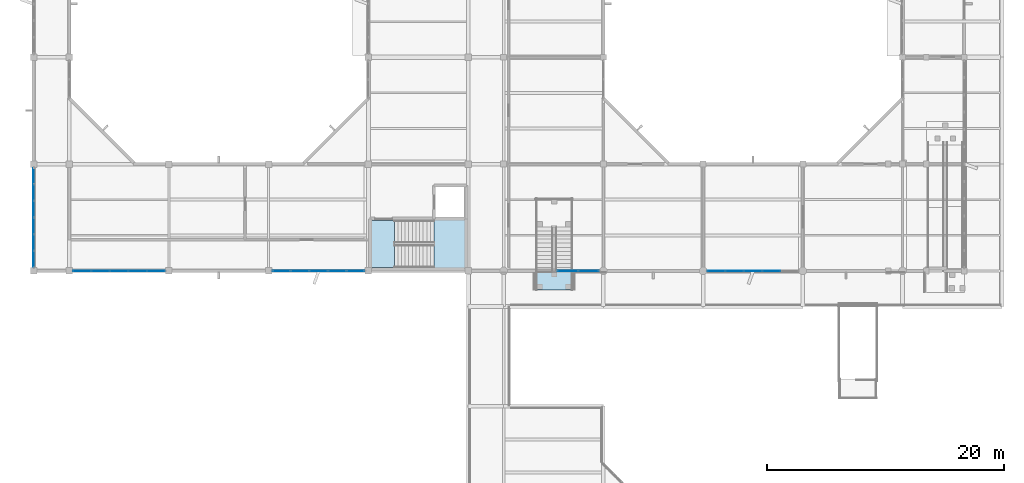
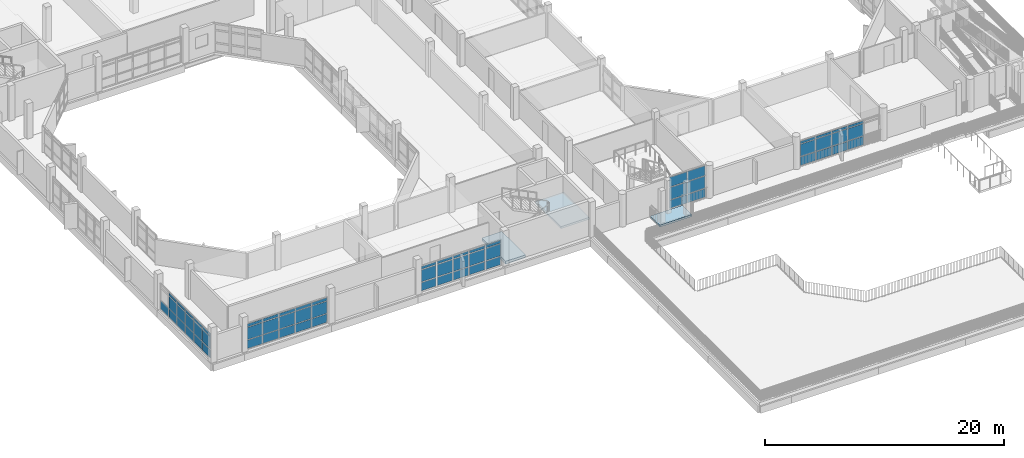
# One storey, part 23 of 51: 64 plates, 3 slabs, 6 elements without a shape of their own.
"""IFC4 building model written with IfcOpenShell, lengths in metres."""

from ifc_helpers import new_model, si_unit, direction, frame, origin, origin_2d, place, context, subcontext, project, spatial, polyline, rectangle, outline, extrude, material, layer, layer_set, type_object, element, aggregate, save


model = new_model("IFC4")

# Units and contexts
model_context = context("Model", 3, precision=1e-05, world=origin(), true_north=direction((0.0, 1.0)))
body_context = subcontext(model_context, "Body", "Model", "MODEL_VIEW")
ifc_project = project(units=[si_unit("LENGTHUNIT", "METRE"), si_unit("AREAUNIT", "SQUARE_METRE"), si_unit("VOLUMEUNIT", "CUBIC_METRE"), si_unit("PLANEANGLEUNIT", "RADIAN"), si_unit("MASSUNIT", "GRAM", prefix="KILO")], contexts=[model_context])

# Site, building, storey
site_placement = place(None, origin())
site = spatial("IfcSite", under=ifc_project, at=site_placement, CompositionType="ELEMENT")
building_placement = place(site_placement, origin())
building = spatial("IfcBuilding", under=site, at=building_placement, Name="Vanh Quang Courtyard School", CompositionType="ELEMENT")
storey_placement = place(building_placement, frame((0.0, 0.0, 11.39990234375)))
storey = spatial("IfcBuildingStorey", under=building, at=storey_placement, Name="L03", CompositionType="ELEMENT", Elevation=11.39990234375)

# Curtain wall, plates
ifc_material_1 = material(Name="Thermally broken aluminium unitised curtain wall", Category="aluminium")
curtain_wall_type_1 = type_object("IfcCurtainWallType", Name="CW-SYS-61", PredefinedType="NOTDEFINED", material=ifc_material_1)
curtain_wall_1_placement = place(storey_placement, origin())
curtain_wall_1 = element("IfcCurtainWall", 1, at=curtain_wall_1_placement, inside=storey, type_object=curtain_wall_type_1, Name="Curtain Wall CW-61 (L03)", PredefinedType="NOTDEFINED")
ifc_material_2 = material(Name="Low-E laminated double glazing", Category="glass")
ifc_layer_1 = layer(ifc_material_2, 0.028076171875)
ifc_layer_set_1 = layer_set([ifc_layer_1], Name="Low-E laminated double glazing")
plate_type_1 = type_object("IfcPlateType", Name="CW-PNL-28", PredefinedType="CURTAIN_PANEL", material=ifc_layer_set_1)
plate_1_placement = place(storey_placement, frame((84.553466796875, 32.39990234375, 0.0703125), z_axis=(0.0, 0.0, 1.0), x_axis=(-1.0, 0.0, 0.0)))
plate_1 = element("IfcPlate", 2, at=plate_1_placement, type_object=plate_type_1, Name="CW-61 panel 1.1", PredefinedType="CURTAIN_PANEL", context=body_context, shape_type="SweptSolid", body=[
    extrude(rectangle(XDim=1.68701171875, YDim=0.028076171875, at=origin_2d()), origin(), (0.0, 0.0, 1.0), 0.844970703125),
])
plate_2_placement = place(storey_placement, frame((84.553466796875, 32.39990234375, 0.985107421875), z_axis=(0.0, 0.0, 1.0), x_axis=(-1.0, 0.0, 0.0)))
plate_2 = element("IfcPlate", 3, at=plate_2_placement, type_object=plate_type_1, Name="CW-61 panel 1.2", PredefinedType="CURTAIN_PANEL", context=body_context, shape_type="SweptSolid", body=[
    extrude(rectangle(XDim=1.68701171875, YDim=0.028076171875, at=origin_2d()), origin(), (0.0, 0.0, 1.0), 1.22998046875),
])
plate_3_placement = place(storey_placement, frame((84.553466796875, 32.39990234375, 2.28515625), z_axis=(0.0, 0.0, 1.0), x_axis=(-1.0, 0.0, 0.0)))
plate_3 = element("IfcPlate", 4, at=plate_3_placement, type_object=plate_type_1, Name="CW-61 panel 1.3", PredefinedType="CURTAIN_PANEL", context=body_context, shape_type="SweptSolid", body=[
    extrude(rectangle(XDim=1.68701171875, YDim=0.028076171875, at=origin_2d()), origin(), (0.0, 0.0, 1.0), 0.985107421875),
])
plate_4_placement = place(storey_placement, frame((82.79638671875, 32.39990234375, 0.0703125), z_axis=(0.0, 0.0, 1.0), x_axis=(-1.0, 0.0, 0.0)))
plate_4 = element("IfcPlate", 5, at=plate_4_placement, type_object=plate_type_1, Name="CW-61 panel 2.1", PredefinedType="CURTAIN_PANEL", context=body_context, shape_type="SweptSolid", body=[
    extrude(rectangle(XDim=1.68701171875, YDim=0.028076171875, at=origin_2d()), origin(), (0.0, 0.0, 1.0), 0.844970703125),
])
plate_5_placement = place(storey_placement, frame((82.79638671875, 32.39990234375, 0.985107421875), z_axis=(0.0, 0.0, 1.0), x_axis=(-1.0, 0.0, 0.0)))
plate_5 = element("IfcPlate", 6, at=plate_5_placement, type_object=plate_type_1, Name="CW-61 panel 2.2", PredefinedType="CURTAIN_PANEL", context=body_context, shape_type="SweptSolid", body=[
    extrude(rectangle(XDim=1.68701171875, YDim=0.028076171875, at=origin_2d()), origin(), (0.0, 0.0, 1.0), 1.22998046875),
])
plate_6_placement = place(storey_placement, frame((82.79638671875, 32.39990234375, 2.28515625), z_axis=(0.0, 0.0, 1.0), x_axis=(-1.0, 0.0, 0.0)))
plate_6 = element("IfcPlate", 7, at=plate_6_placement, type_object=plate_type_1, Name="CW-61 panel 2.3", PredefinedType="CURTAIN_PANEL", context=body_context, shape_type="SweptSolid", body=[
    extrude(rectangle(XDim=1.68701171875, YDim=0.028076171875, at=origin_2d()), origin(), (0.0, 0.0, 1.0), 0.985107421875),
])
aggregate(curtain_wall_1, [plate_1, plate_2, plate_3, plate_4, plate_5, plate_6])

curtain_wall_type_2 = type_object("IfcCurtainWallType", Name="CW-SYS-24", PredefinedType="NOTDEFINED", material=ifc_material_1)
curtain_wall_2_placement = place(storey_placement, origin())
curtain_wall_2 = element("IfcCurtainWall", 8, at=curtain_wall_2_placement, inside=storey, type_object=curtain_wall_type_2, Name="Curtain Wall CW-24 (L03)", PredefinedType="NOTDEFINED")
plate_7_placement = place(storey_placement, frame((48.11865234375, 32.39990234375, 0.06005859375), z_axis=(0.0, 0.0, 1.0), x_axis=(-1.0, 0.0, 0.0)))
plate_7 = element("IfcPlate", 9, at=plate_7_placement, type_object=plate_type_1, Name="CW-24 panel 1.1", PredefinedType="CURTAIN_PANEL", context=body_context, shape_type="SweptSolid", body=[
    extrude(rectangle(XDim=1.476806640625, YDim=0.028076171875, at=origin_2d()), origin(), (0.0, 0.0, 1.0), 0.860107421875),
])
plate_8_placement = place(storey_placement, frame((48.11865234375, 32.39990234375, 0.97998046875), z_axis=(0.0, 0.0, 1.0), x_axis=(-1.0, 0.0, 0.0)))
plate_8 = element("IfcPlate", 10, at=plate_8_placement, type_object=plate_type_1, Name="CW-24 panel 1.2", PredefinedType="CURTAIN_PANEL", context=body_context, shape_type="SweptSolid", body=[
    extrude(rectangle(XDim=1.476806640625, YDim=0.028076171875, at=origin_2d()), origin(), (0.0, 0.0, 1.0), 1.239990234375),
])
plate_9_placement = place(storey_placement, frame((48.11865234375, 32.39990234375, 2.2802734375), z_axis=(0.0, 0.0, 1.0), x_axis=(-1.0, 0.0, 0.0)))
plate_9 = element("IfcPlate", 11, at=plate_9_placement, type_object=plate_type_1, Name="CW-24 panel 1.3", PredefinedType="CURTAIN_PANEL", context=body_context, shape_type="SweptSolid", body=[
    extrude(rectangle(XDim=1.476806640625, YDim=0.028076171875, at=origin_2d()), origin(), (0.0, 0.0, 1.0), 0.300048828125),
])
plate_10_placement = place(storey_placement, frame((46.56689453125, 32.39990234375, 0.06005859375), z_axis=(0.0, 0.0, 1.0), x_axis=(-1.0, 0.0, 0.0)))
plate_10 = element("IfcPlate", 12, at=plate_10_placement, type_object=plate_type_1, Name="CW-24 panel 2.1", PredefinedType="CURTAIN_PANEL", context=body_context, shape_type="SweptSolid", body=[
    extrude(rectangle(XDim=1.5068359375, YDim=0.028076171875, at=origin_2d()), origin(), (0.0, 0.0, 1.0), 0.860107421875),
])
plate_11_placement = place(storey_placement, frame((46.56689453125, 32.39990234375, 0.97998046875), z_axis=(0.0, 0.0, 1.0), x_axis=(-1.0, 0.0, 0.0)))
plate_11 = element("IfcPlate", 13, at=plate_11_placement, type_object=plate_type_1, Name="CW-24 panel 2.2", PredefinedType="CURTAIN_PANEL", context=body_context, shape_type="SweptSolid", body=[
    extrude(rectangle(XDim=1.5068359375, YDim=0.028076171875, at=origin_2d()), origin(), (0.0, 0.0, 1.0), 1.239990234375),
])
plate_12_placement = place(storey_placement, frame((46.56689453125, 32.39990234375, 2.2802734375), z_axis=(0.0, 0.0, 1.0), x_axis=(-1.0, 0.0, 0.0)))
plate_12 = element("IfcPlate", 14, at=plate_12_placement, type_object=plate_type_1, Name="CW-24 panel 2.3", PredefinedType="CURTAIN_PANEL", context=body_context, shape_type="SweptSolid", body=[
    extrude(rectangle(XDim=1.5068359375, YDim=0.028076171875, at=origin_2d()), origin(), (0.0, 0.0, 1.0), 0.300048828125),
])
plate_13_placement = place(storey_placement, frame((45.0, 32.39990234375, 0.06005859375), z_axis=(0.0, 0.0, 1.0), x_axis=(-1.0, 0.0, 0.0)))
plate_13 = element("IfcPlate", 15, at=plate_13_placement, type_object=plate_type_1, Name="CW-24 panel 3.1", PredefinedType="CURTAIN_PANEL", context=body_context, shape_type="SweptSolid", body=[
    extrude(rectangle(XDim=1.5068359375, YDim=0.028076171875, at=origin_2d()), origin(), (0.0, 0.0, 1.0), 0.860107421875),
])
plate_14_placement = place(storey_placement, frame((45.0, 32.39990234375, 0.97998046875), z_axis=(0.0, 0.0, 1.0), x_axis=(-1.0, 0.0, 0.0)))
plate_14 = element("IfcPlate", 16, at=plate_14_placement, type_object=plate_type_1, Name="CW-24 panel 3.2", PredefinedType="CURTAIN_PANEL", context=body_context, shape_type="SweptSolid", body=[
    extrude(rectangle(XDim=1.5068359375, YDim=0.028076171875, at=origin_2d()), origin(), (0.0, 0.0, 1.0), 1.239990234375),
])
plate_15_placement = place(storey_placement, frame((45.0, 32.39990234375, 2.2802734375), z_axis=(0.0, 0.0, 1.0), x_axis=(-1.0, 0.0, 0.0)))
plate_15 = element("IfcPlate", 17, at=plate_15_placement, type_object=plate_type_1, Name="CW-24 panel 3.3", PredefinedType="CURTAIN_PANEL", context=body_context, shape_type="SweptSolid", body=[
    extrude(rectangle(XDim=1.5068359375, YDim=0.028076171875, at=origin_2d()), origin(), (0.0, 0.0, 1.0), 0.300048828125),
])
plate_16_placement = place(storey_placement, frame((43.43310546875, 32.39990234375, 0.06005859375), z_axis=(0.0, 0.0, 1.0), x_axis=(-1.0, 0.0, 0.0)))
plate_16 = element("IfcPlate", 18, at=plate_16_placement, type_object=plate_type_1, Name="CW-24 panel 4.1", PredefinedType="CURTAIN_PANEL", context=body_context, shape_type="SweptSolid", body=[
    extrude(rectangle(XDim=1.5068359375, YDim=0.028076171875, at=origin_2d()), origin(), (0.0, 0.0, 1.0), 0.860107421875),
])
plate_17_placement = place(storey_placement, frame((43.43310546875, 32.39990234375, 0.97998046875), z_axis=(0.0, 0.0, 1.0), x_axis=(-1.0, 0.0, 0.0)))
plate_17 = element("IfcPlate", 19, at=plate_17_placement, type_object=plate_type_1, Name="CW-24 panel 4.2", PredefinedType="CURTAIN_PANEL", context=body_context, shape_type="SweptSolid", body=[
    extrude(rectangle(XDim=1.5068359375, YDim=0.028076171875, at=origin_2d()), origin(), (0.0, 0.0, 1.0), 1.239990234375),
])
plate_18_placement = place(storey_placement, frame((43.43310546875, 32.39990234375, 2.2802734375), z_axis=(0.0, 0.0, 1.0), x_axis=(-1.0, 0.0, 0.0)))
plate_18 = element("IfcPlate", 20, at=plate_18_placement, type_object=plate_type_1, Name="CW-24 panel 4.3", PredefinedType="CURTAIN_PANEL", context=body_context, shape_type="SweptSolid", body=[
    extrude(rectangle(XDim=1.5068359375, YDim=0.028076171875, at=origin_2d()), origin(), (0.0, 0.0, 1.0), 0.300048828125),
])
plate_19_placement = place(storey_placement, frame((41.88134765625, 32.39990234375, 0.06005859375), z_axis=(0.0, 0.0, 1.0), x_axis=(-1.0, 0.0, 0.0)))
plate_19 = element("IfcPlate", 21, at=plate_19_placement, type_object=plate_type_1, Name="CW-24 panel 5.1", PredefinedType="CURTAIN_PANEL", context=body_context, shape_type="SweptSolid", body=[
    extrude(rectangle(XDim=1.476806640625, YDim=0.028076171875, at=origin_2d()), origin(), (0.0, 0.0, 1.0), 0.860107421875),
])
plate_20_placement = place(storey_placement, frame((41.88134765625, 32.39990234375, 0.97998046875), z_axis=(0.0, 0.0, 1.0), x_axis=(-1.0, 0.0, 0.0)))
plate_20 = element("IfcPlate", 22, at=plate_20_placement, type_object=plate_type_1, Name="CW-24 panel 5.2", PredefinedType="CURTAIN_PANEL", context=body_context, shape_type="SweptSolid", body=[
    extrude(rectangle(XDim=1.476806640625, YDim=0.028076171875, at=origin_2d()), origin(), (0.0, 0.0, 1.0), 1.239990234375),
])
plate_21_placement = place(storey_placement, frame((41.88134765625, 32.39990234375, 2.2802734375), z_axis=(0.0, 0.0, 1.0), x_axis=(-1.0, 0.0, 0.0)))
plate_21 = element("IfcPlate", 23, at=plate_21_placement, type_object=plate_type_1, Name="CW-24 panel 5.3", PredefinedType="CURTAIN_PANEL", context=body_context, shape_type="SweptSolid", body=[
    extrude(rectangle(XDim=1.476806640625, YDim=0.028076171875, at=origin_2d()), origin(), (0.0, 0.0, 1.0), 0.300048828125),
])
aggregate(curtain_wall_2, [plate_7, plate_8, plate_9, plate_10, plate_11, plate_12, plate_13, plate_14, plate_15, plate_16, plate_17, plate_18, plate_19, plate_20, plate_21])

curtain_wall_type_3 = type_object("IfcCurtainWallType", Name="CW-SYS-21", PredefinedType="NOTDEFINED", material=ifc_material_1)
curtain_wall_3_placement = place(storey_placement, origin())
curtain_wall_3 = element("IfcCurtainWall", 24, at=curtain_wall_3_placement, inside=storey, type_object=curtain_wall_type_3, Name="Curtain Wall CW-21 (L03)", PredefinedType="NOTDEFINED")
ifc_layer_2 = layer(ifc_material_2, 0.031982421875)
ifc_layer_set_2 = layer_set([ifc_layer_2], Name="Low-E laminated double glazing")
plate_type_2 = type_object("IfcPlateType", Name="CW-PNL-32", PredefinedType="CURTAIN_PANEL", material=ifc_layer_set_2)
plate_22_placement = place(storey_placement, frame((99.94677734375, 32.39990234375, 0.06005859375), z_axis=(0.0, 0.0, 1.0), x_axis=(-1.0, 0.0, 0.0)))
plate_22 = element("IfcPlate", 25, at=plate_22_placement, type_object=plate_type_2, Name="CW-21 panel 2.1", PredefinedType="CURTAIN_PANEL", context=body_context, shape_type="SweptSolid", body=[
    extrude(rectangle(XDim=1.48681640625, YDim=0.031982421875, at=origin_2d()), origin(), (0.0, 0.0, 1.0), 0.860107421875),
])
plate_23_placement = place(storey_placement, frame((99.94677734375, 32.39990234375, 0.97998046875), z_axis=(0.0, 0.0, 1.0), x_axis=(-1.0, 0.0, 0.0)))
plate_23 = element("IfcPlate", 26, at=plate_23_placement, type_object=plate_type_2, Name="CW-21 panel 2.2", PredefinedType="CURTAIN_PANEL", context=body_context, shape_type="SweptSolid", body=[
    extrude(rectangle(XDim=1.48681640625, YDim=0.031982421875, at=origin_2d()), origin(), (0.0, 0.0, 1.0), 1.239990234375),
])
plate_24_placement = place(storey_placement, frame((99.94677734375, 32.39990234375, 2.2802734375), z_axis=(0.0, 0.0, 1.0), x_axis=(-1.0, 0.0, 0.0)))
plate_24 = element("IfcPlate", 27, at=plate_24_placement, type_object=plate_type_2, Name="CW-21 panel 2.3", PredefinedType="CURTAIN_PANEL", context=body_context, shape_type="SweptSolid", body=[
    extrude(rectangle(XDim=1.48681640625, YDim=0.031982421875, at=origin_2d()), origin(), (0.0, 0.0, 1.0), 0.239990234375),
])
plate_25_placement = place(storey_placement, frame((98.39990234375, 32.39990234375, 0.06005859375), z_axis=(0.0, 0.0, 1.0), x_axis=(-1.0, 0.0, 0.0)))
plate_25 = element("IfcPlate", 28, at=plate_25_placement, type_object=plate_type_2, Name="CW-21 panel 3.1", PredefinedType="CURTAIN_PANEL", context=body_context, shape_type="SweptSolid", body=[
    extrude(rectangle(XDim=1.48681640625, YDim=0.031982421875, at=origin_2d()), origin(), (0.0, 0.0, 1.0), 0.860107421875),
])
plate_26_placement = place(storey_placement, frame((98.39990234375, 32.39990234375, 0.97998046875), z_axis=(0.0, 0.0, 1.0), x_axis=(-1.0, 0.0, 0.0)))
plate_26 = element("IfcPlate", 29, at=plate_26_placement, type_object=plate_type_2, Name="CW-21 panel 3.2", PredefinedType="CURTAIN_PANEL", context=body_context, shape_type="SweptSolid", body=[
    extrude(rectangle(XDim=1.48681640625, YDim=0.031982421875, at=origin_2d()), origin(), (0.0, 0.0, 1.0), 1.239990234375),
])
plate_27_placement = place(storey_placement, frame((98.39990234375, 32.39990234375, 2.2802734375), z_axis=(0.0, 0.0, 1.0), x_axis=(-1.0, 0.0, 0.0)))
plate_27 = element("IfcPlate", 30, at=plate_27_placement, type_object=plate_type_2, Name="CW-21 panel 3.3", PredefinedType="CURTAIN_PANEL", context=body_context, shape_type="SweptSolid", body=[
    extrude(rectangle(XDim=1.48681640625, YDim=0.031982421875, at=origin_2d()), origin(), (0.0, 0.0, 1.0), 0.239990234375),
])
plate_28_placement = place(storey_placement, frame((96.853271484375, 32.39990234375, 0.06005859375), z_axis=(0.0, 0.0, 1.0), x_axis=(-1.0, 0.0, 0.0)))
plate_28 = element("IfcPlate", 31, at=plate_28_placement, type_object=plate_type_2, Name="CW-21 panel 4.1", PredefinedType="CURTAIN_PANEL", context=body_context, shape_type="SweptSolid", body=[
    extrude(rectangle(XDim=1.48681640625, YDim=0.031982421875, at=origin_2d()), origin(), (0.0, 0.0, 1.0), 0.860107421875),
])
plate_29_placement = place(storey_placement, frame((96.853271484375, 32.39990234375, 0.97998046875), z_axis=(0.0, 0.0, 1.0), x_axis=(-1.0, 0.0, 0.0)))
plate_29 = element("IfcPlate", 32, at=plate_29_placement, type_object=plate_type_2, Name="CW-21 panel 4.2", PredefinedType="CURTAIN_PANEL", context=body_context, shape_type="SweptSolid", body=[
    extrude(rectangle(XDim=1.48681640625, YDim=0.031982421875, at=origin_2d()), origin(), (0.0, 0.0, 1.0), 1.239990234375),
])
plate_30_placement = place(storey_placement, frame((96.853271484375, 32.39990234375, 2.2802734375), z_axis=(0.0, 0.0, 1.0), x_axis=(-1.0, 0.0, 0.0)))
plate_30 = element("IfcPlate", 33, at=plate_30_placement, type_object=plate_type_2, Name="CW-21 panel 4.3", PredefinedType="CURTAIN_PANEL", context=body_context, shape_type="SweptSolid", body=[
    extrude(rectangle(XDim=1.48681640625, YDim=0.031982421875, at=origin_2d()), origin(), (0.0, 0.0, 1.0), 0.239990234375),
])
plate_31_placement = place(storey_placement, frame((95.3212890625, 32.39990234375, 0.06005859375), z_axis=(0.0, 0.0, 1.0), x_axis=(-1.0, 0.0, 0.0)))
plate_31 = element("IfcPlate", 34, at=plate_31_placement, type_object=plate_type_2, Name="CW-21 panel 5.1", PredefinedType="CURTAIN_PANEL", context=body_context, shape_type="SweptSolid", body=[
    extrude(rectangle(XDim=1.456787109375, YDim=0.031982421875, at=origin_2d()), origin(), (0.0, 0.0, 1.0), 0.860107421875),
])
plate_32_placement = place(storey_placement, frame((95.3212890625, 32.39990234375, 0.97998046875), z_axis=(0.0, 0.0, 1.0), x_axis=(-1.0, 0.0, 0.0)))
plate_32 = element("IfcPlate", 35, at=plate_32_placement, type_object=plate_type_2, Name="CW-21 panel 5.2", PredefinedType="CURTAIN_PANEL", context=body_context, shape_type="SweptSolid", body=[
    extrude(rectangle(XDim=1.456787109375, YDim=0.031982421875, at=origin_2d()), origin(), (0.0, 0.0, 1.0), 1.239990234375),
])
plate_33_placement = place(storey_placement, frame((95.3212890625, 32.39990234375, 2.2802734375), z_axis=(0.0, 0.0, 1.0), x_axis=(-1.0, 0.0, 0.0)))
plate_33 = element("IfcPlate", 36, at=plate_33_placement, type_object=plate_type_2, Name="CW-21 panel 5.3", PredefinedType="CURTAIN_PANEL", context=body_context, shape_type="SweptSolid", body=[
    extrude(rectangle(XDim=1.456787109375, YDim=0.031982421875, at=origin_2d()), origin(), (0.0, 0.0, 1.0), 0.239990234375),
])
aggregate(curtain_wall_3, [plate_22, plate_23, plate_24, plate_25, plate_26, plate_27, plate_28, plate_29, plate_30, plate_31, plate_32, plate_33])

curtain_wall_4_placement = place(storey_placement, origin())
curtain_wall_4 = element("IfcCurtainWall", 37, at=curtain_wall_4_placement, inside=storey, type_object=curtain_wall_type_2, Name="Curtain Wall CW-24 (L03)", PredefinedType="NOTDEFINED")
plate_34_placement = place(storey_placement, frame((64.91357421875, 32.39990234375, 0.080078125), z_axis=(0.0, 0.0, 1.0), x_axis=(-1.0, 0.0, 0.0)))
plate_34 = element("IfcPlate", 38, at=plate_34_placement, type_object=plate_type_2, Name="CW-24 panel 1.1", PredefinedType="CURTAIN_PANEL", context=body_context, shape_type="SweptSolid", body=[
    extrude(rectangle(XDim=1.44677734375, YDim=0.031982421875, at=origin_2d()), origin(), (0.0, 0.0, 1.0), 0.830078125),
])
plate_35_placement = place(storey_placement, frame((64.91357421875, 32.39990234375, 0.990234375), z_axis=(0.0, 0.0, 1.0), x_axis=(-1.0, 0.0, 0.0)))
plate_35 = element("IfcPlate", 39, at=plate_35_placement, type_object=plate_type_2, Name="CW-24 panel 1.2", PredefinedType="CURTAIN_PANEL", context=body_context, shape_type="SweptSolid", body=[
    extrude(rectangle(XDim=1.44677734375, YDim=0.031982421875, at=origin_2d()), origin(), (0.0, 0.0, 1.0), 1.219970703125),
])
plate_36_placement = place(storey_placement, frame((64.91357421875, 32.39990234375, 2.2900390625), z_axis=(0.0, 0.0, 1.0), x_axis=(-1.0, 0.0, 0.0)))
plate_36 = element("IfcPlate", 40, at=plate_36_placement, type_object=plate_type_2, Name="CW-24 panel 1.3", PredefinedType="CURTAIN_PANEL", context=body_context, shape_type="SweptSolid", body=[
    extrude(rectangle(XDim=1.44677734375, YDim=0.031982421875, at=origin_2d()), origin(), (0.0, 0.0, 1.0), 0.27001953125),
])
plate_37_placement = place(storey_placement, frame((63.36669921875, 32.39990234375, 0.080078125), z_axis=(0.0, 0.0, 1.0), x_axis=(-1.0, 0.0, 0.0)))
plate_37 = element("IfcPlate", 41, at=plate_37_placement, type_object=plate_type_2, Name="CW-24 panel 2.1", PredefinedType="CURTAIN_PANEL", context=body_context, shape_type="SweptSolid", body=[
    extrude(rectangle(XDim=1.48681640625, YDim=0.031982421875, at=origin_2d()), origin(), (0.0, 0.0, 1.0), 0.830078125),
])
plate_38_placement = place(storey_placement, frame((63.36669921875, 32.39990234375, 0.990234375), z_axis=(0.0, 0.0, 1.0), x_axis=(-1.0, 0.0, 0.0)))
plate_38 = element("IfcPlate", 42, at=plate_38_placement, type_object=plate_type_2, Name="CW-24 panel 2.2", PredefinedType="CURTAIN_PANEL", context=body_context, shape_type="SweptSolid", body=[
    extrude(rectangle(XDim=1.48681640625, YDim=0.031982421875, at=origin_2d()), origin(), (0.0, 0.0, 1.0), 1.219970703125),
])
plate_39_placement = place(storey_placement, frame((63.36669921875, 32.39990234375, 2.2900390625), z_axis=(0.0, 0.0, 1.0), x_axis=(-1.0, 0.0, 0.0)))
plate_39 = element("IfcPlate", 43, at=plate_39_placement, type_object=plate_type_2, Name="CW-24 panel 2.3", PredefinedType="CURTAIN_PANEL", context=body_context, shape_type="SweptSolid", body=[
    extrude(rectangle(XDim=1.48681640625, YDim=0.031982421875, at=origin_2d()), origin(), (0.0, 0.0, 1.0), 0.27001953125),
])
plate_40_placement = place(storey_placement, frame((61.800048828125, 32.39990234375, 0.080078125), z_axis=(0.0, 0.0, 1.0), x_axis=(-1.0, 0.0, 0.0)))
plate_40 = element("IfcPlate", 44, at=plate_40_placement, type_object=plate_type_2, Name="CW-24 panel 3.1", PredefinedType="CURTAIN_PANEL", context=body_context, shape_type="SweptSolid", body=[
    extrude(rectangle(XDim=1.48681640625, YDim=0.031982421875, at=origin_2d()), origin(), (0.0, 0.0, 1.0), 0.830078125),
])
plate_41_placement = place(storey_placement, frame((61.800048828125, 32.39990234375, 0.990234375), z_axis=(0.0, 0.0, 1.0), x_axis=(-1.0, 0.0, 0.0)))
plate_41 = element("IfcPlate", 45, at=plate_41_placement, type_object=plate_type_2, Name="CW-24 panel 3.2", PredefinedType="CURTAIN_PANEL", context=body_context, shape_type="SweptSolid", body=[
    extrude(rectangle(XDim=1.48681640625, YDim=0.031982421875, at=origin_2d()), origin(), (0.0, 0.0, 1.0), 1.219970703125),
])
plate_42_placement = place(storey_placement, frame((61.800048828125, 32.39990234375, 2.2900390625), z_axis=(0.0, 0.0, 1.0), x_axis=(-1.0, 0.0, 0.0)))
plate_42 = element("IfcPlate", 46, at=plate_42_placement, type_object=plate_type_2, Name="CW-24 panel 3.3", PredefinedType="CURTAIN_PANEL", context=body_context, shape_type="SweptSolid", body=[
    extrude(rectangle(XDim=1.48681640625, YDim=0.031982421875, at=origin_2d()), origin(), (0.0, 0.0, 1.0), 0.27001953125),
])
plate_43_placement = place(storey_placement, frame((60.233154296875, 32.39990234375, 0.080078125), z_axis=(0.0, 0.0, 1.0), x_axis=(-1.0, 0.0, 0.0)))
plate_43 = element("IfcPlate", 47, at=plate_43_placement, type_object=plate_type_2, Name="CW-24 panel 4.1", PredefinedType="CURTAIN_PANEL", context=body_context, shape_type="SweptSolid", body=[
    extrude(rectangle(XDim=1.48681640625, YDim=0.031982421875, at=origin_2d()), origin(), (0.0, 0.0, 1.0), 0.830078125),
])
plate_44_placement = place(storey_placement, frame((60.233154296875, 32.39990234375, 0.990234375), z_axis=(0.0, 0.0, 1.0), x_axis=(-1.0, 0.0, 0.0)))
plate_44 = element("IfcPlate", 48, at=plate_44_placement, type_object=plate_type_2, Name="CW-24 panel 4.2", PredefinedType="CURTAIN_PANEL", context=body_context, shape_type="SweptSolid", body=[
    extrude(rectangle(XDim=1.48681640625, YDim=0.031982421875, at=origin_2d()), origin(), (0.0, 0.0, 1.0), 1.219970703125),
])
plate_45_placement = place(storey_placement, frame((60.233154296875, 32.39990234375, 2.2900390625), z_axis=(0.0, 0.0, 1.0), x_axis=(-1.0, 0.0, 0.0)))
plate_45 = element("IfcPlate", 49, at=plate_45_placement, type_object=plate_type_2, Name="CW-24 panel 4.3", PredefinedType="CURTAIN_PANEL", context=body_context, shape_type="SweptSolid", body=[
    extrude(rectangle(XDim=1.48681640625, YDim=0.031982421875, at=origin_2d()), origin(), (0.0, 0.0, 1.0), 0.27001953125),
])
plate_46_placement = place(storey_placement, frame((58.686279296875, 32.39990234375, 0.080078125), z_axis=(0.0, 0.0, 1.0), x_axis=(-1.0, 0.0, 0.0)))
plate_46 = element("IfcPlate", 50, at=plate_46_placement, type_object=plate_type_2, Name="CW-24 panel 5.1", PredefinedType="CURTAIN_PANEL", context=body_context, shape_type="SweptSolid", body=[
    extrude(rectangle(XDim=1.44677734375, YDim=0.031982421875, at=origin_2d()), origin(), (0.0, 0.0, 1.0), 0.830078125),
])
plate_47_placement = place(storey_placement, frame((58.686279296875, 32.39990234375, 0.990234375), z_axis=(0.0, 0.0, 1.0), x_axis=(-1.0, 0.0, 0.0)))
plate_47 = element("IfcPlate", 51, at=plate_47_placement, type_object=plate_type_2, Name="CW-24 panel 5.2", PredefinedType="CURTAIN_PANEL", context=body_context, shape_type="SweptSolid", body=[
    extrude(rectangle(XDim=1.44677734375, YDim=0.031982421875, at=origin_2d()), origin(), (0.0, 0.0, 1.0), 1.219970703125),
])
plate_48_placement = place(storey_placement, frame((58.686279296875, 32.39990234375, 2.2900390625), z_axis=(0.0, 0.0, 1.0), x_axis=(-1.0, 0.0, 0.0)))
plate_48 = element("IfcPlate", 52, at=plate_48_placement, type_object=plate_type_2, Name="CW-24 panel 5.3", PredefinedType="CURTAIN_PANEL", context=body_context, shape_type="SweptSolid", body=[
    extrude(rectangle(XDim=1.44677734375, YDim=0.031982421875, at=origin_2d()), origin(), (0.0, 0.0, 1.0), 0.27001953125),
])
aggregate(curtain_wall_4, [plate_34, plate_35, plate_36, plate_37, plate_38, plate_39, plate_40, plate_41, plate_42, plate_43, plate_44, plate_45, plate_46, plate_47, plate_48])

curtain_wall_type_4 = type_object("IfcCurtainWallType", Name="CW-SYS-48", PredefinedType="NOTDEFINED", material=ifc_material_1)
curtain_wall_5_placement = place(storey_placement, origin())
curtain_wall_5 = element("IfcCurtainWall", 53, at=curtain_wall_5_placement, inside=storey, type_object=curtain_wall_type_4, Name="Curtain Wall CW-48 (L03)", PredefinedType="NOTDEFINED")
plate_49_placement = place(storey_placement, frame((37.800048828125, 33.4033203125, 0.0703125), z_axis=(0.0, 0.0, 1.0), x_axis=(0.0, 1.0, 0.0)))
plate_49 = element("IfcPlate", 54, at=plate_49_placement, type_object=plate_type_2, Name="CW-48 panel 1.1", PredefinedType="CURTAIN_PANEL", context=body_context, shape_type="SweptSolid", body=[
    extrude(rectangle(XDim=1.30078125, YDim=0.031982421875, at=origin_2d()), origin(), (0.0, 0.0, 1.0), 0.844970703125),
])
plate_50_placement = place(storey_placement, frame((37.800048828125, 33.4033203125, 0.985107421875), z_axis=(0.0, 0.0, 1.0), x_axis=(0.0, 1.0, 0.0)))
plate_50 = element("IfcPlate", 55, at=plate_50_placement, type_object=plate_type_2, Name="CW-48 panel 1.2", PredefinedType="CURTAIN_PANEL", context=body_context, shape_type="SweptSolid", body=[
    extrude(rectangle(XDim=1.30078125, YDim=0.031982421875, at=origin_2d()), origin(), (0.0, 0.0, 1.0), 1.22998046875),
])
plate_51_placement = place(storey_placement, frame((37.800048828125, 33.4033203125, 2.28515625), z_axis=(0.0, 0.0, 1.0), x_axis=(0.0, 1.0, 0.0)))
plate_51 = element("IfcPlate", 56, at=plate_51_placement, type_object=plate_type_2, Name="CW-48 panel 1.3", PredefinedType="CURTAIN_PANEL", context=body_context, shape_type="SweptSolid", body=[
    extrude(rectangle(XDim=1.30078125, YDim=0.031982421875, at=origin_2d()), origin(), (0.0, 0.0, 1.0), 0.284912109375),
])
plate_52_placement = place(storey_placement, frame((37.800048828125, 34.79150390625, 0.0703125), z_axis=(0.0, 0.0, 1.0), x_axis=(0.0, 1.0, 0.0)))
plate_52 = element("IfcPlate", 57, at=plate_52_placement, type_object=plate_type_2, Name="CW-48 panel 2.1", PredefinedType="CURTAIN_PANEL", context=body_context, shape_type="SweptSolid", body=[
    extrude(rectangle(XDim=1.335693359375, YDim=0.031982421875, at=origin_2d()), origin(), (0.0, 0.0, 1.0), 0.844970703125),
])
plate_53_placement = place(storey_placement, frame((37.800048828125, 34.79150390625, 0.985107421875), z_axis=(0.0, 0.0, 1.0), x_axis=(0.0, 1.0, 0.0)))
plate_53 = element("IfcPlate", 58, at=plate_53_placement, type_object=plate_type_2, Name="CW-48 panel 2.2", PredefinedType="CURTAIN_PANEL", context=body_context, shape_type="SweptSolid", body=[
    extrude(rectangle(XDim=1.335693359375, YDim=0.031982421875, at=origin_2d()), origin(), (0.0, 0.0, 1.0), 1.22998046875),
])
plate_54_placement = place(storey_placement, frame((37.800048828125, 34.79150390625, 2.28515625), z_axis=(0.0, 0.0, 1.0), x_axis=(0.0, 1.0, 0.0)))
plate_54 = element("IfcPlate", 59, at=plate_54_placement, type_object=plate_type_2, Name="CW-48 panel 2.3", PredefinedType="CURTAIN_PANEL", context=body_context, shape_type="SweptSolid", body=[
    extrude(rectangle(XDim=1.335693359375, YDim=0.031982421875, at=origin_2d()), origin(), (0.0, 0.0, 1.0), 0.284912109375),
])
plate_55_placement = place(storey_placement, frame((37.800048828125, 36.197265625, 0.0703125), z_axis=(0.0, 0.0, 1.0), x_axis=(0.0, 1.0, 0.0)))
plate_55 = element("IfcPlate", 60, at=plate_55_placement, type_object=plate_type_2, Name="CW-48 panel 3.1", PredefinedType="CURTAIN_PANEL", context=body_context, shape_type="SweptSolid", body=[
    extrude(rectangle(XDim=1.335693359375, YDim=0.031982421875, at=origin_2d()), origin(), (0.0, 0.0, 1.0), 0.844970703125),
])
plate_56_placement = place(storey_placement, frame((37.800048828125, 36.197265625, 0.985107421875), z_axis=(0.0, 0.0, 1.0), x_axis=(0.0, 1.0, 0.0)))
plate_56 = element("IfcPlate", 61, at=plate_56_placement, type_object=plate_type_2, Name="CW-48 panel 3.2", PredefinedType="CURTAIN_PANEL", context=body_context, shape_type="SweptSolid", body=[
    extrude(rectangle(XDim=1.335693359375, YDim=0.031982421875, at=origin_2d()), origin(), (0.0, 0.0, 1.0), 1.22998046875),
])
plate_57_placement = place(storey_placement, frame((37.800048828125, 36.197265625, 2.28515625), z_axis=(0.0, 0.0, 1.0), x_axis=(0.0, 1.0, 0.0)))
plate_57 = element("IfcPlate", 62, at=plate_57_placement, type_object=plate_type_2, Name="CW-48 panel 3.3", PredefinedType="CURTAIN_PANEL", context=body_context, shape_type="SweptSolid", body=[
    extrude(rectangle(XDim=1.335693359375, YDim=0.031982421875, at=origin_2d()), origin(), (0.0, 0.0, 1.0), 0.284912109375),
])
plate_58_placement = place(storey_placement, frame((37.800048828125, 37.602783203125, 0.0703125), z_axis=(0.0, 0.0, 1.0), x_axis=(0.0, 1.0, 0.0)))
plate_58 = element("IfcPlate", 63, at=plate_58_placement, type_object=plate_type_2, Name="CW-48 panel 4.1", PredefinedType="CURTAIN_PANEL", context=body_context, shape_type="SweptSolid", body=[
    extrude(rectangle(XDim=1.335693359375, YDim=0.031982421875, at=origin_2d()), origin(), (0.0, 0.0, 1.0), 0.844970703125),
])
plate_59_placement = place(storey_placement, frame((37.800048828125, 37.602783203125, 0.985107421875), z_axis=(0.0, 0.0, 1.0), x_axis=(0.0, 1.0, 0.0)))
plate_59 = element("IfcPlate", 64, at=plate_59_placement, type_object=plate_type_2, Name="CW-48 panel 4.2", PredefinedType="CURTAIN_PANEL", context=body_context, shape_type="SweptSolid", body=[
    extrude(rectangle(XDim=1.335693359375, YDim=0.031982421875, at=origin_2d()), origin(), (0.0, 0.0, 1.0), 1.22998046875),
])
plate_60_placement = place(storey_placement, frame((37.800048828125, 37.602783203125, 2.28515625), z_axis=(0.0, 0.0, 1.0), x_axis=(0.0, 1.0, 0.0)))
plate_60 = element("IfcPlate", 65, at=plate_60_placement, type_object=plate_type_2, Name="CW-48 panel 4.3", PredefinedType="CURTAIN_PANEL", context=body_context, shape_type="SweptSolid", body=[
    extrude(rectangle(XDim=1.335693359375, YDim=0.031982421875, at=origin_2d()), origin(), (0.0, 0.0, 1.0), 0.284912109375),
])
plate_61_placement = place(storey_placement, frame((37.800048828125, 39.008544921875, 0.0703125), z_axis=(0.0, 0.0, 1.0), x_axis=(0.0, 1.0, 0.0)))
plate_61 = element("IfcPlate", 66, at=plate_61_placement, type_object=plate_type_2, Name="CW-48 panel 5.1", PredefinedType="CURTAIN_PANEL", context=body_context, shape_type="SweptSolid", body=[
    extrude(rectangle(XDim=1.335693359375, YDim=0.031982421875, at=origin_2d()), origin(), (0.0, 0.0, 1.0), 0.844970703125),
])
plate_62_placement = place(storey_placement, frame((37.800048828125, 39.008544921875, 0.985107421875), z_axis=(0.0, 0.0, 1.0), x_axis=(0.0, 1.0, 0.0)))
plate_62 = element("IfcPlate", 67, at=plate_62_placement, type_object=plate_type_2, Name="CW-48 panel 5.2", PredefinedType="CURTAIN_PANEL", context=body_context, shape_type="SweptSolid", body=[
    extrude(rectangle(XDim=1.335693359375, YDim=0.031982421875, at=origin_2d()), origin(), (0.0, 0.0, 1.0), 1.22998046875),
])
plate_63_placement = place(storey_placement, frame((37.800048828125, 39.008544921875, 2.28515625), z_axis=(0.0, 0.0, 1.0), x_axis=(0.0, 1.0, 0.0)))
plate_63 = element("IfcPlate", 68, at=plate_63_placement, type_object=plate_type_2, Name="CW-48 panel 5.3", PredefinedType="CURTAIN_PANEL", context=body_context, shape_type="SweptSolid", body=[
    extrude(rectangle(XDim=1.335693359375, YDim=0.031982421875, at=origin_2d()), origin(), (0.0, 0.0, 1.0), 0.284912109375),
])
plate_64_placement = place(storey_placement, frame((37.800048828125, 40.396728515625, 0.0703125), z_axis=(0.0, 0.0, 1.0), x_axis=(0.0, 1.0, 0.0)))
plate_64 = element("IfcPlate", 69, at=plate_64_placement, type_object=plate_type_2, Name="CW-48 panel 6.1", PredefinedType="CURTAIN_PANEL", context=body_context, shape_type="SweptSolid", body=[
    extrude(rectangle(XDim=1.30078125, YDim=0.031982421875, at=origin_2d()), origin(), (0.0, 0.0, 1.0), 0.844970703125),
])
aggregate(curtain_wall_5, [plate_49, plate_50, plate_51, plate_52, plate_53, plate_54, plate_55, plate_56, plate_57, plate_58, plate_59, plate_60, plate_61, plate_62, plate_63, plate_64])

# Slab
ifc_material_3 = material(Name="Concrete C30/37", Category="concrete")
ifc_layer_3 = layer(ifc_material_3, 0.280029296875)
ifc_layer_set_3 = layer_set([ifc_layer_3], Name="Concrete C30/37")
slab_type_1 = type_object("IfcSlabType", Name="SLB-FLR-280", PredefinedType="FLOOR", material=ifc_layer_set_3)
slab_1_placement = place(storey_placement, frame((0.0, 0.0, -0.27978515625)))
element("IfcSlab", 70, at=slab_1_placement, inside=storey, type_object=slab_type_1, Name="Slab SF-02 (L03)", PredefinedType="FLOOR", context=body_context, shape_type="SweptSolid", body=[
    extrude(outline(polyline([(68.2099609375, 32.679931640625), (66.280029296875, 32.679931640625), (66.280029296875, 36.639892578125), (68.2099609375, 36.639892578125), (68.2099609375, 32.679931640625)])), origin(), (0.0, 0.0, 1.0), 0.27978515625),
])

# Stair, slab
stair_type = type_object("IfcStairType", Name="STR-CORE-1900", PredefinedType="HALF_TURN_STAIR", material=ifc_material_3)
stair_placement = place(storey_placement, origin())
stair = element("IfcStair", 71, at=stair_placement, inside=storey, type_object=stair_type, Name="L03 ST-04", PredefinedType="HALF_TURN_STAIR")
ifc_layer_4 = layer(ifc_material_3, 0.199951171875)
ifc_layer_set_4 = layer_set([ifc_layer_4], Name="Concrete C30/37")
slab_type_2 = type_object("IfcSlabType", Name="SLB-LND-200", PredefinedType="LANDING", material=ifc_layer_set_4)
slab_2_placement = place(storey_placement, frame((0.0, 0.0, 1.60009765625)))
slab_2 = element("IfcSlab", 72, at=slab_2_placement, type_object=slab_type_2, Name="ST-04 landing 1", PredefinedType="LANDING", context=body_context, shape_type="SweptSolid", body=[
    extrude(outline(polyline([(71.534912109375, 32.52001953125), (74.280029296875, 32.52001953125), (74.280029296875, 36.800048828125), (71.534912109375, 36.800048828125), (71.534912109375, 32.52001953125)])), origin(), (0.0, 0.0, 1.0), 0.199951171875),
])
aggregate(stair, [slab_2])

# Slab
ifc_layer_5 = layer(ifc_material_3, 0.199951171875)
ifc_layer_set_5 = layer_set([ifc_layer_5], Name="Concrete C30/37")
slab_type_3 = type_object("IfcSlabType", Name="SLB-TLND-200", PredefinedType="LANDING", material=ifc_layer_set_5)
slab_3_placement = place(storey_placement, frame((0.0, 0.0, -0.199951171875)))
element("IfcSlab", 73, at=slab_3_placement, inside=storey, type_object=slab_type_3, Name="Slab SL-02 (L03)", PredefinedType="LANDING", context=body_context, shape_type="SweptSolid", body=[
    extrude(outline(polyline([(80.10009765625, 30.800048828125), (83.199951171875, 30.800048828125), (83.199951171875, 32.3798828125), (80.10009765625, 32.3798828125), (80.10009765625, 30.800048828125)])), origin(), (0.0, 0.0, 1.0), 0.199951171875),
])

save(model, "model.ifc")
